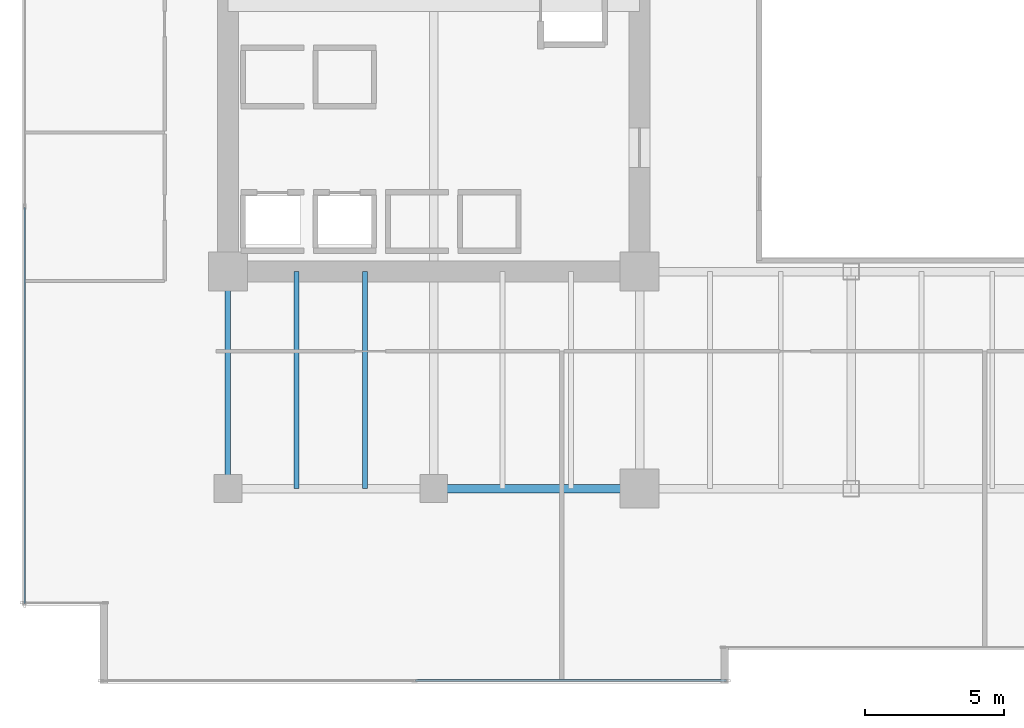
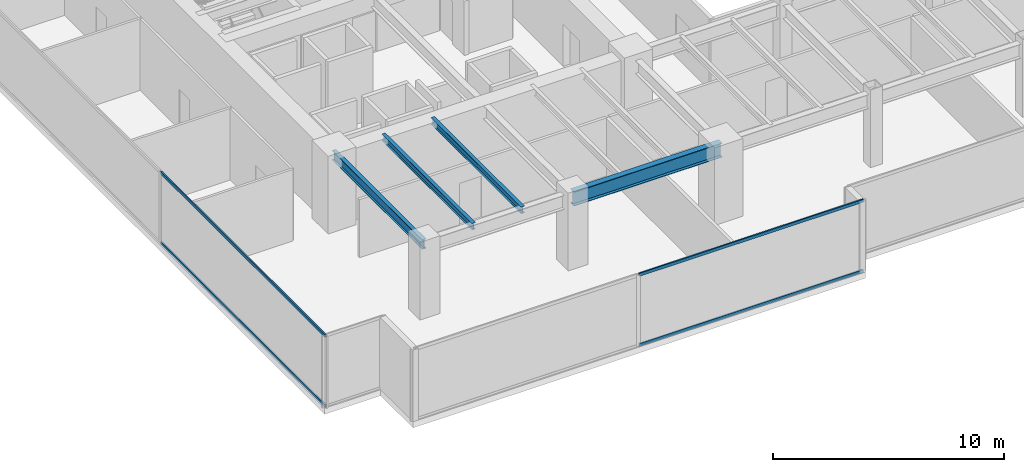
# One storey, part 3 of 35: 4 beams, 4 members, 2 elements without a shape of their own.
"""IFC4 building model written with IfcOpenShell, lengths in metres."""

from ifc_helpers import new_model, si_unit, direction, frame, origin, origin_2d, place, context, subcontext, project, spatial, hollow_rectangle, i_section, extrude, source, transform, mapped, material, layer, layer_set, material_profile, profile_set, type_object, type_shapes, element, aggregate, save


model = new_model("IFC4")

# Units and contexts
model_context = context("Model", 3, precision=1e-05, world=origin(), true_north=direction((0.0, 1.0)))
body_context = subcontext(model_context, "Body", "Model", "MODEL_VIEW")
ifc_project = project(units=[si_unit("LENGTHUNIT", "METRE"), si_unit("AREAUNIT", "SQUARE_METRE"), si_unit("VOLUMEUNIT", "CUBIC_METRE"), si_unit("PLANEANGLEUNIT", "RADIAN"), si_unit("MASSUNIT", "GRAM", prefix="KILO")], contexts=[model_context])

# Site, building, storey
site_placement = place(None, origin())
site = spatial("IfcSite", under=ifc_project, at=site_placement, CompositionType="ELEMENT")
building_placement = place(site_placement, origin())
building = spatial("IfcBuilding", under=site, at=building_placement, Name="Haelvirn Gate Laboratories", CompositionType="ELEMENT")
storey_placement = place(building_placement, frame((0.0, 0.0, 37.5)))
storey = spatial("IfcBuildingStorey", under=building, at=storey_placement, Name="L09", CompositionType="ELEMENT", Elevation=37.5)

# Beams
ifc_material_1 = material(Name="Steel SM355", Category="steel")
ifc_material_profile_1 = material_profile(ifc_material_1, i_section(OverallWidth=0.300048828125, OverallDepth=0.75, WebThickness=0.013916015625, FlangeThickness=0.02392578125, at=origin_2d()), Name="H-750x300x14x24")
ifc_profile_set_1 = profile_set([ifc_material_profile_1], Name="Steel SM355")
beam_type_1 = type_object("IfcBeamType", Name="BM-G-750", PredefinedType="BEAM", material=ifc_profile_set_1)
shared_shape_1 = source(origin(), body_context, "Body", "SweptSolid", [
    extrude(i_section(OverallWidth=0.300048828125, OverallDepth=0.75, WebThickness=0.013916015625, FlangeThickness=0.02392578125, at=origin_2d()), origin(), (0.0, 0.0, 1.0), 7.39990234375),
])
type_shapes(beam_type_1, [shared_shape_1])
beam_1_placement = place(storey_placement, frame((14.800048828125, 7.0, 3.405029296875), z_axis=(1.0, 0.0, 0.0), x_axis=(0.0, 1.0, 0.0)))
element("IfcBeam", 1, at=beam_1_placement, inside=storey, type_object=beam_type_1, Name="L09 Primary Girder Y7.0 (14.8-22.2)", PredefinedType="BEAM", context=body_context, shape_type="MappedRepresentation", body=[
    mapped(shared_shape_1, transform((0.0, 0.0, 0.0), scale=1.0)),
])
ifc_material_profile_2 = material_profile(ifc_material_1, i_section(OverallWidth=0.199951171875, OverallDepth=0.5, WebThickness=0.010009765625, FlangeThickness=0.01611328125, at=origin_2d()), Name="H-500x200x10x16")
ifc_profile_set_2 = profile_set([ifc_material_profile_2], Name="Steel SM355")
beam_type_2 = type_object("IfcBeamType", Name="BM-SP-500", PredefinedType="SPANDREL", material=ifc_profile_set_2)
shared_shape_2 = source(origin(), body_context, "Body", "SweptSolid", [
    extrude(i_section(OverallWidth=0.199951171875, OverallDepth=0.5, WebThickness=0.010009765625, FlangeThickness=0.01611328125, at=origin_2d()), origin(), (0.0, 0.0, 1.0), 7.800048828125),
])
type_shapes(beam_type_2, [shared_shape_2])
beam_2_placement = place(storey_placement, frame((7.39990234375, 7.0, 3.530029296875), z_axis=(0.0, 1.0, 0.0), x_axis=(-1.0, 0.0, 0.0)))
element("IfcBeam", 2, at=beam_2_placement, inside=storey, type_object=beam_type_2, Name="L09 Perimeter Spandrel X7.4 (7.0-14.8)", PredefinedType="SPANDREL", context=body_context, shape_type="MappedRepresentation", body=[
    mapped(shared_shape_2, transform((0.0, 0.0, 0.0), scale=1.0)),
])
ifc_material_profile_3 = material_profile(ifc_material_1, i_section(OverallWidth=0.175048828125, OverallDepth=0.35009765625, WebThickness=0.007080078125, FlangeThickness=0.010986328125, at=origin_2d()), Name="H-350x175x7x11")
ifc_profile_set_3 = profile_set([ifc_material_profile_3], Name="Steel SM355")
beam_type_3 = type_object("IfcBeamType", Name="BM-J-350", PredefinedType="JOIST", material=ifc_profile_set_3)
shared_shape_3 = source(origin(), body_context, "Body", "SweptSolid", [
    extrude(i_section(OverallWidth=0.175048828125, OverallDepth=0.35009765625, WebThickness=0.007080078125, FlangeThickness=0.010986328125, at=origin_2d()), origin(), (0.0, 0.0, 1.0), 7.800048828125),
])
type_shapes(beam_type_3, [shared_shape_3])
for number, where, z_axis, x_axis, name in (
    (3, (9.8701171875, 7.0, 3.60498046875), (0.0, 1.0, 0.0), (-1.0, 0.0, 0.0), "L09 Composite Lab Joist South X9.87"),
    (4, (12.330078125, 7.0, 3.60498046875), (0.0, 1.0, 0.0), (-1.0, 0.0, 0.0), "L09 Composite Lab Joist South X12.33"),
):
    element("IfcBeam", number, at=place(storey_placement, frame(where, z_axis=z_axis, x_axis=x_axis)), inside=storey, type_object=beam_type_3, Name=name, PredefinedType="JOIST", context=body_context, shape_type="MappedRepresentation", body=[
        mapped(shared_shape_3, transform((0.0, 0.0, 0.0), scale=1.0)),
    ])

# Curtain wall, members
ifc_material_2 = material(Name="Anodised bronze unitised aluminium & triple low-E glass", Category="aluminium")
ifc_layer = layer(ifc_material_2, 0.18408203125, Name="CW-SYS-2")
ifc_layer_set = layer_set([ifc_layer], Name="Anodised bronze unitised aluminium & triple low-E glass")
curtain_wall_type = type_object("IfcCurtainWallType", Name="CW-SYS-2", PredefinedType="NOTDEFINED", material=ifc_layer_set)
curtain_wall_1_placement = place(storey_placement, origin())
curtain_wall_1 = element("IfcCurtainWall", 5, at=curtain_wall_1_placement, inside=storey, type_object=curtain_wall_type, Name="L09 Unitised Curtain Wall CW-L09-P0-E00-1", PredefinedType="NOTDEFINED")
ifc_material_3 = material(Name="Extruded aluminium 6063-T6 (anodised bronze)", Category="aluminium")
ifc_material_profile_4 = material_profile(ifc_material_3, hollow_rectangle(XDim=0.070068359375, YDim=0.159912109375, WallThickness=0.0048828125, at=origin_2d()), Name="CWT-160x70x5")
ifc_profile_set_4 = profile_set([ifc_material_profile_4], Name="Extruded aluminium 6063-T6 (anodised bronze)")
member_type = type_object("IfcMemberType", Name="CWT-T160", PredefinedType="USERDEFINED", material=ifc_profile_set_4)
shared_shape_4 = source(origin(), body_context, "Body", "SweptSolid", [
    extrude(hollow_rectangle(XDim=0.070068359375, YDim=0.159912109375, WallThickness=0.0048828125, at=origin_2d()), origin(), (0.0, 0.0, 1.0), 11.1875),
])
member_1_placement = place(storey_placement, frame((14.137451171875, 0.10009765625, 0.034912109375), z_axis=(1.0, 0.0, 0.0), x_axis=(0.0, 1.0, 0.0)))
member_1 = element("IfcMember", 6, at=member_1_placement, type_object=member_type, Name="CW2 transom 2.1", ObjectType="TRANSOM", PredefinedType="USERDEFINED", context=body_context, shape_type="MappedRepresentation", body=[
    mapped(shared_shape_4, transform((0.0, 0.0, 0.0), scale=1.0)),
])
member_2_placement = place(storey_placement, frame((14.137451171875, 0.10009765625, 3.7451171875), z_axis=(1.0, 0.0, 0.0), x_axis=(0.0, 1.0, 0.0)))
member_2 = element("IfcMember", 7, at=member_2_placement, type_object=member_type, Name="CW2 transom 2.2", ObjectType="TRANSOM", PredefinedType="USERDEFINED", context=body_context, shape_type="MappedRepresentation", body=[
    mapped(shared_shape_4, transform((0.0, 0.0, 0.0), scale=1.0)),
])
aggregate(curtain_wall_1, [member_1, member_2])

curtain_wall_2_placement = place(storey_placement, origin())
curtain_wall_2 = element("IfcCurtainWall", 8, at=curtain_wall_2_placement, inside=storey, type_object=curtain_wall_type, Name="L09 Unitised Curtain Wall CW-L09-P0-E17", PredefinedType="NOTDEFINED")
shared_shape_5 = source(origin(), body_context, "Body", "SweptSolid", [
    extrude(hollow_rectangle(XDim=0.070068359375, YDim=0.159912109375, WallThickness=0.0048828125, at=origin_2d()), origin(), (0.0, 0.0, 1.0), 14.220947265625),
])
type_shapes(member_type, [shared_shape_4, shared_shape_5])
member_3_placement = place(storey_placement, frame((0.10009765625, 17.095947265625, 0.034912109375), z_axis=(0.0, -1.0, 0.0), x_axis=(1.0, 0.0, 0.0)))
member_3 = element("IfcMember", 9, at=member_3_placement, type_object=member_type, Name="CW2 transom 3.1", ObjectType="TRANSOM", PredefinedType="USERDEFINED", context=body_context, shape_type="MappedRepresentation", body=[
    mapped(shared_shape_5, transform((0.0, 0.0, 0.0), scale=1.0)),
])
member_4_placement = place(storey_placement, frame((0.10009765625, 17.095947265625, 3.7451171875), z_axis=(0.0, -1.0, 0.0), x_axis=(1.0, 0.0, 0.0)))
member_4 = element("IfcMember", 10, at=member_4_placement, type_object=member_type, Name="CW2 transom 3.2", ObjectType="TRANSOM", PredefinedType="USERDEFINED", context=body_context, shape_type="MappedRepresentation", body=[
    mapped(shared_shape_5, transform((0.0, 0.0, 0.0), scale=1.0)),
])
aggregate(curtain_wall_2, [member_3, member_4])

save(model, "model.ifc")
